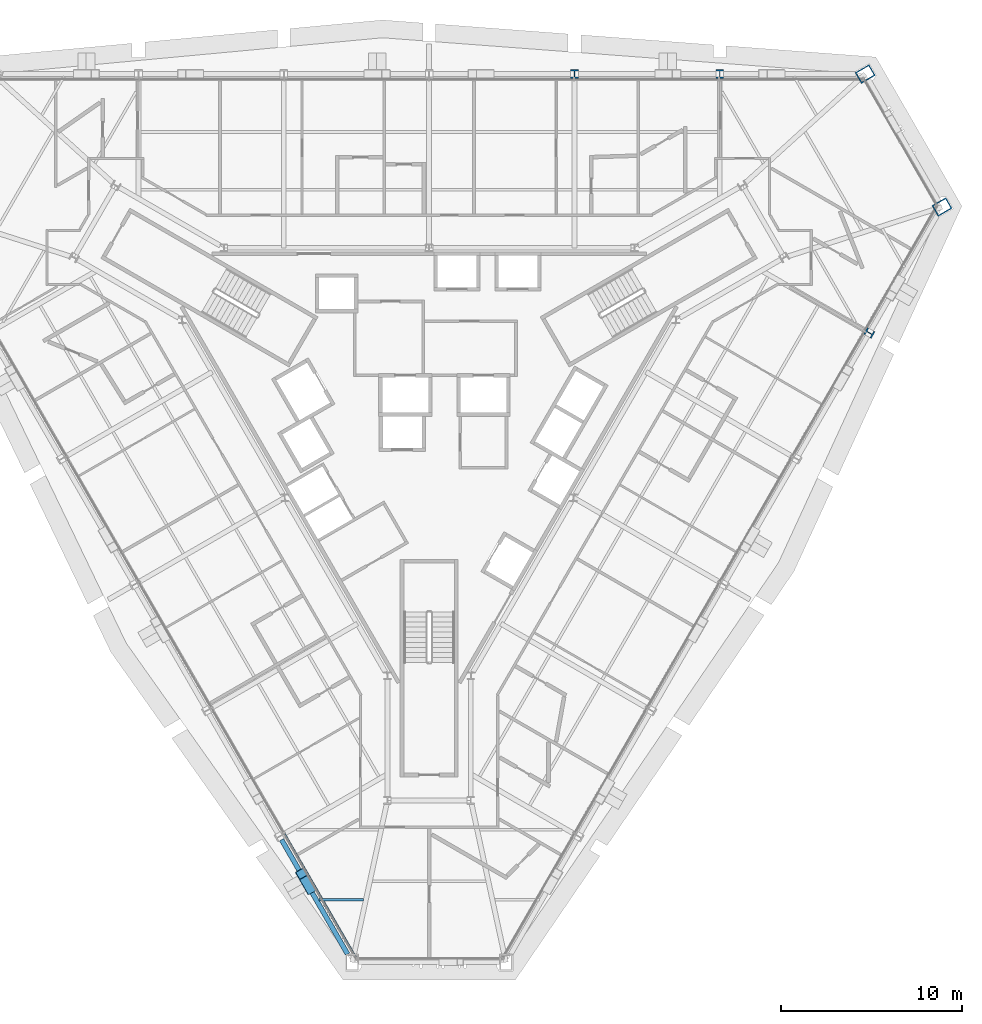
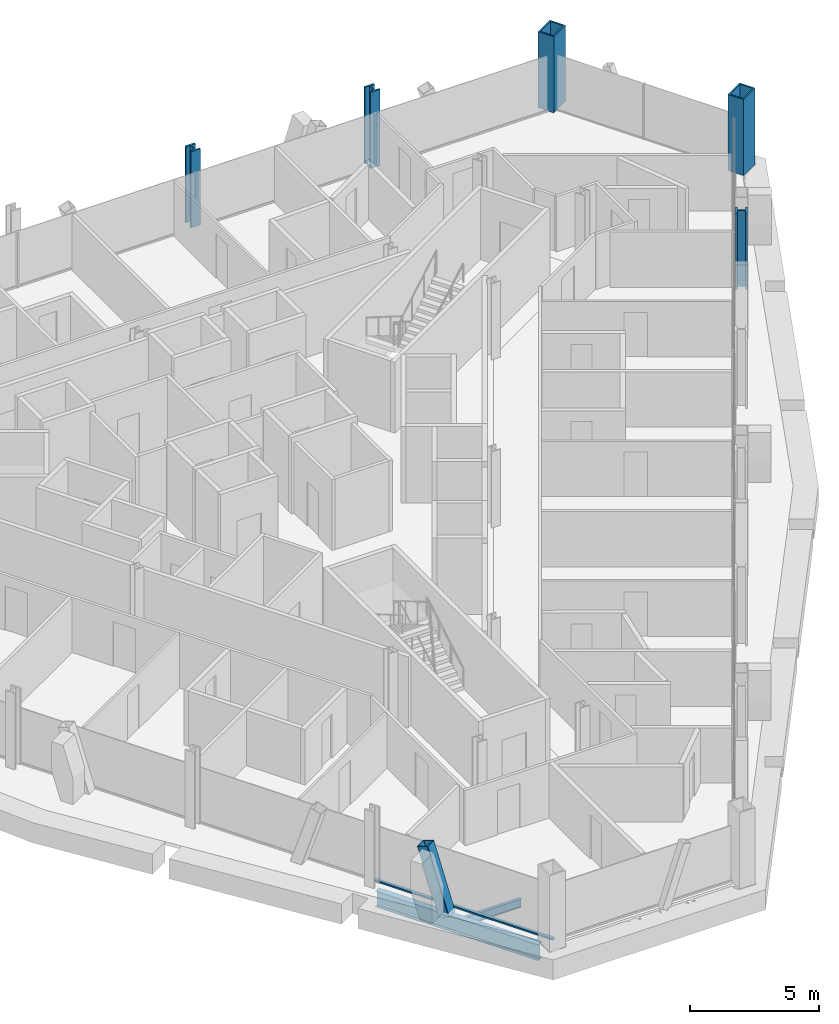
# One storey, part 2 of 16: 5 columns, 2 beams, 2 members, 1 element without a shape of its own.
"""IFC4 building model written with IfcOpenShell, lengths in metres."""

from ifc_helpers import new_model, si_unit, direction, frame, origin, origin_2d, place, context, subcontext, project, spatial, rectangle, hollow_rectangle, i_section, extrude, material, material_profile, profile_set, type_object, element, aggregate, save


model = new_model("IFC4")

# Units and contexts
model_context = context("Model", 3, precision=1e-05, world=origin(), true_north=direction((0.0, 1.0)))
body_context = subcontext(model_context, "Body", "Model", "MODEL_VIEW")
ifc_project = project(units=[si_unit("LENGTHUNIT", "METRE"), si_unit("AREAUNIT", "SQUARE_METRE"), si_unit("VOLUMEUNIT", "CUBIC_METRE"), si_unit("PLANEANGLEUNIT", "RADIAN"), si_unit("MASSUNIT", "GRAM", prefix="KILO")], contexts=[model_context])

# Site, building, storey
site_placement = place(None, origin())
site = spatial("IfcSite", under=ifc_project, at=site_placement, CompositionType="ELEMENT")
building_placement = place(site_placement, origin())
building = spatial("IfcBuilding", under=site, at=building_placement, Name="Verrane Prism Tower", CompositionType="ELEMENT")
storey_placement = place(building_placement, frame((0.0, 0.0, 107.199951171875)))
storey = spatial("IfcBuildingStorey", under=building, at=storey_placement, Name="L25", CompositionType="ELEMENT", Elevation=107.199951171875)

# Columns
ifc_material_1 = material(Name="Steel A572 Grade 50", Category="steel")
ifc_material_profile_1 = material_profile(ifc_material_1, hollow_rectangle(XDim=0.699951171875, YDim=0.89990234375, WallThickness=0.06494140625, at=origin_2d()), Name="BOX 900x700x65")
ifc_profile_set_1 = profile_set([ifc_material_profile_1], Name="Steel A572 Grade 50")
column_type_1 = type_object("IfcColumnType", Name="Megacolumn BOX 900x700x65", PredefinedType="COLUMN", material=ifc_profile_set_1)
for number, where, z_axis, x_axis, name in (
    (1, (24.070068359375, 18.7900390625, 0.0), (0.0, 0.0, 1.0), (0.5, -0.866025403784, 0.0), "Megacolumn MC-NE.b L25"),
    (2, (28.31005859375, 11.449951171875, 0.0), (0.0, 0.0, 1.0), (0.5, -0.866025403784, 0.0), "Megacolumn MC-NE.a L25"),
):
    element("IfcColumn", number, at=place(storey_placement, frame(where, z_axis=z_axis, x_axis=x_axis)), inside=storey, type_object=column_type_1, Name=name, PredefinedType="COLUMN", context=body_context, shape_type="SweptSolid", body=[
        extrude(hollow_rectangle(XDim=0.699951171875, YDim=0.89990234375, WallThickness=0.06494140625, at=origin_2d()), origin(), (0.0, 0.0, 1.0), 3.60009765625),
    ])
ifc_material_2 = material(Name="Steel A992", Category="steel")
ifc_material_profile_2 = material_profile(ifc_material_2, i_section(OverallWidth=0.424072265625, OverallDepth=0.47509765625, WebThickness=0.0478515625, FlangeThickness=0.0771484375, FilletRadius=0.014892578125, at=origin_2d()), Name="W14x426")
ifc_profile_set_2 = profile_set([ifc_material_profile_2], Name="Steel A992")
column_type_2 = type_object("IfcColumnType", Name="Perimeter column W14x426", PredefinedType="COLUMN", material=ifc_profile_set_2)
for number, where, z_axis, x_axis, name in (
    (3, (16.0400390625, 18.7900390625, 0.0), (0.0, 0.0, 1.0), (1.0, 0.0, 0.0), "Perimeter column PC-N1 L25"),
    (4, (8.02001953125, 18.7900390625, 0.0), (0.0, 0.0, 1.0), (1.0, 0.0, 0.0), "Perimeter column PC-N2 L25"),
    (5, (24.300048828125, 4.5, 0.0), (0.0, 0.0, 1.0), (-0.5, -0.866025403784, 0.0), "Perimeter column PC-SE5 L25"),
):
    element("IfcColumn", number, at=place(storey_placement, frame(where, z_axis=z_axis, x_axis=x_axis)), inside=storey, type_object=column_type_2, Name=name, PredefinedType="COLUMN", context=body_context, shape_type="SweptSolid", body=[
        extrude(i_section(OverallWidth=0.424072265625, OverallDepth=0.47509765625, WebThickness=0.0478515625, FlangeThickness=0.0771484375, FilletRadius=0.014892578125, at=origin_2d()), origin(), (0.0, 0.0, 1.0), 3.60009765625),
    ])

# Member
ifc_material_3 = material(Name="Steel A1085 Grade A", Category="steel")
ifc_material_profile_3 = material_profile(ifc_material_3, hollow_rectangle(XDim=0.508056640625, YDim=0.508056640625, WallThickness=0.025390625, InnerFilletRadius=0.0126953125, OuterFilletRadius=0.0380859375, at=origin_2d()), Name="HSS20x20x1")
ifc_profile_set_3 = profile_set([ifc_material_profile_3], Name="Steel A1085 Grade A")
member_type_1 = type_object("IfcMemberType", Name="Facade brace HSS20x20x1", PredefinedType="BRACE", material=ifc_profile_set_3)
member_1_placement = place(storey_placement, frame((-6.57861328125, -26.18701171875, -0.242431640625), z_axis=(-0.151580861177, 0.262791717489, 0.952871321714), x_axis=(-0.86622802292, -0.49964888903, 0.0)))
element("IfcMember", 6, at=member_1_placement, inside=storey, type_object=member_type_1, Name="Facade brace SW5 L25", PredefinedType="BRACE", context=body_context, shape_type="SweptSolid", body=[
    extrude(hollow_rectangle(XDim=0.508056640625, YDim=0.508056640625, WallThickness=0.025390625, InnerFilletRadius=0.0126953125, OuterFilletRadius=0.0380859375, at=origin_2d()), origin(), (0.0, 0.0, 1.0), 3.15673828125),
])

# Beams
ifc_material_4 = material(Name="Steel A992", Category="steel")
ifc_material_profile_4 = material_profile(ifc_material_4, i_section(OverallWidth=0.140380859375, OverallDepth=0.40380859375, WebThickness=0.007080078125, FlangeThickness=0.01123046875, FilletRadius=0.01025390625, at=origin_2d()), Name="W16x31")
ifc_profile_set_4 = profile_set([ifc_material_profile_4], Name="Steel A992")
beam_type_1 = type_object("IfcBeamType", Name="Floor beam W16x31", PredefinedType="BEAM", material=ifc_profile_set_4)
beam_1_placement = place(storey_placement, frame((-6.083984375, -26.776611328125, -0.36181640625), z_axis=(1.0, 0.0, 0.0), x_axis=(0.0, 1.0, 0.0)))
element("IfcBeam", 7, at=beam_1_placement, inside=storey, type_object=beam_type_1, Name="Floor beam L25", PredefinedType="BEAM", context=body_context, shape_type="SweptSolid", body=[
    extrude(i_section(OverallWidth=0.140380859375, OverallDepth=0.40380859375, WebThickness=0.007080078125, FlangeThickness=0.01123046875, FilletRadius=0.01025390625, at=origin_2d()), origin(), (0.0, 0.0, 1.0), 2.458984375),
])
ifc_material_5 = material(Name="Steel A992", Category="steel")
ifc_material_profile_5 = material_profile(ifc_material_5, i_section(OverallWidth=0.2666015625, OverallDepth=0.7568359375, WebThickness=0.013916015625, FlangeThickness=0.019287109375, FilletRadius=0.0166015625, at=origin_2d()), Name="W30x108")
ifc_profile_set_5 = profile_set([ifc_material_profile_5], Name="Steel A992")
beam_type_2 = type_object("IfcBeamType", Name="Spandrel beam W30x108", PredefinedType="SPANDREL", material=ifc_profile_set_5)
beam_2_placement = place(storey_placement, frame((-8.14404296875, -23.4736328125, -0.538330078125), z_axis=(0.499768824934, -0.866158831638, 0.0), x_axis=(0.866158831638, 0.499768824934, 0.0)))
element("IfcBeam", 8, at=beam_2_placement, inside=storey, type_object=beam_type_2, Name="Spandrel beam L25", PredefinedType="SPANDREL", context=body_context, shape_type="SweptSolid", body=[
    extrude(i_section(OverallWidth=0.2666015625, OverallDepth=0.7568359375, WebThickness=0.013916015625, FlangeThickness=0.019287109375, FilletRadius=0.0166015625, at=origin_2d()), origin(), (0.0, 0.0, 1.0), 7.29248046875),
])

# Curtain wall, member
ifc_material_6 = material(Name="Aluminium framed insulated glazing", Category="aluminium")
curtain_wall_type = type_object("IfcCurtainWallType", Name="Curtain wall CW-A 8400 module", PredefinedType="NOTDEFINED", material=ifc_material_6)
curtain_wall_placement = place(storey_placement, origin())
curtain_wall = element("IfcCurtainWall", 9, at=curtain_wall_placement, inside=storey, type_object=curtain_wall_type, Name="Glazed curtain wall south-west face L25", PredefinedType="NOTDEFINED")
ifc_material_7 = material(Name="Aluminium alloy 6063-T6", Category="aluminium")
ifc_material_profile_6 = material_profile(ifc_material_7, rectangle(XDim=0.14990234375, YDim=0.070068359375, at=origin_2d()), Name="Transom 70x150 aluminium")
ifc_profile_set_6 = profile_set([ifc_material_profile_6], Name="Aluminium alloy 6063-T6")
member_type_2 = type_object("IfcMemberType", Name="Transom 70x150 aluminium", PredefinedType="USERDEFINED", material=ifc_profile_set_6)
member_2_placement = place(storey_placement, frame((-8.015380859375, -23.138916015625, 0.03515625), z_axis=(0.500003777996, -0.866023222546, 0.0), x_axis=(0.866023222546, 0.500003777996, 0.0)))
member_2 = element("IfcMember", 10, at=member_2_placement, type_object=member_type_2, Name="CW24.4 transom 6", ObjectType="TRANSOM", PredefinedType="USERDEFINED", context=body_context, shape_type="SweptSolid", body=[
    extrude(rectangle(XDim=0.14990234375, YDim=0.070068359375, at=origin_2d()), origin(), (0.0, 0.0, 1.0), 7.962890625),
])
aggregate(curtain_wall, [member_2])

save(model, "model.ifc")
